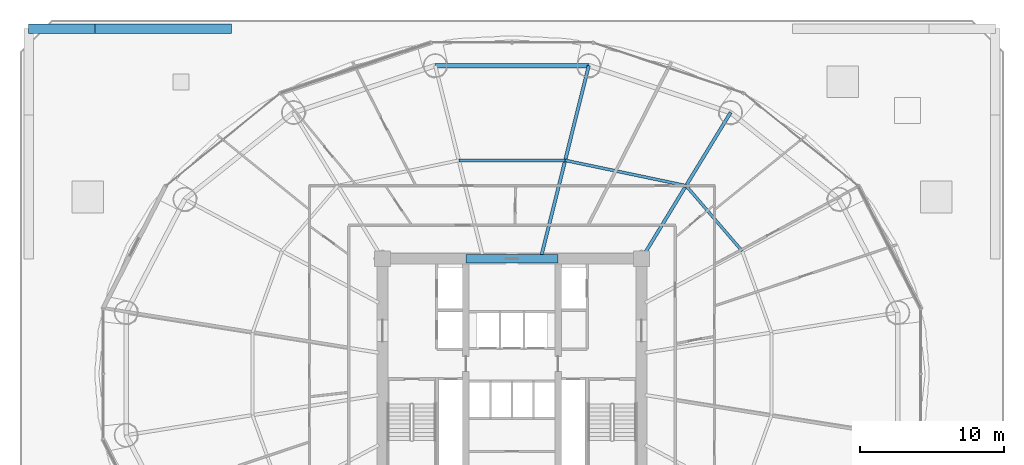
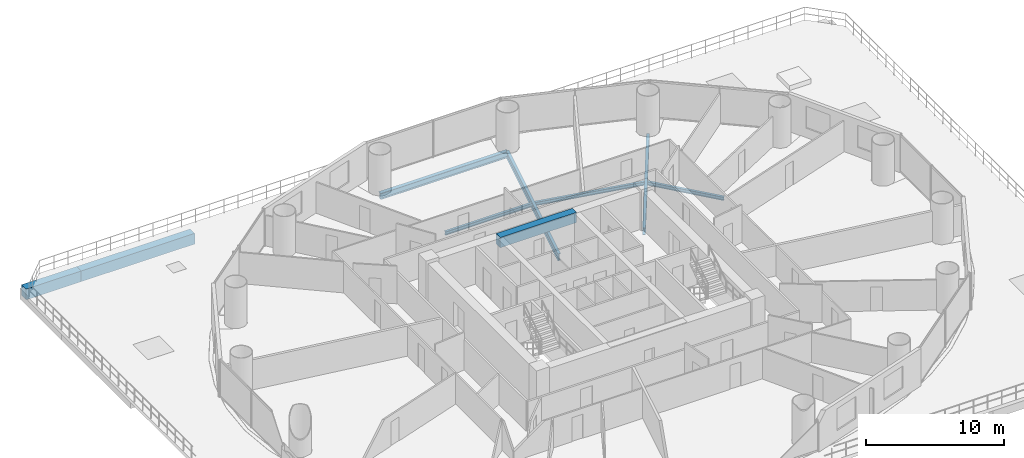
# One storey, part 25 of 37: 9 beams.
"""IFC4 building model written with IfcOpenShell, lengths in metres."""

import ifcopenshell
import ifcopenshell.guid

model = None  # the IFC model being written
_history = None  # IfcOwnerHistory: only IFC2X3 demands one
_inside = {}  # id of a spatial element -> (the spatial element, [elements in it])
_under = {}  # id of a project, library or spatial element -> (it, [spatial elements below it])
_declared = {}  # id of a project -> (the project, [libraries it declares])
_typed = {}  # id of a type object -> (the type object, [elements of that type])
_made_of = {}  # id of a material, layer set ... -> (it, [elements and type objects made of it])


def new_model(schema):
    """Start an empty IFC model of exactly this schema.

    Asked for "IFC4X3", IfcOpenShell would pick the latest addendum, in which some entities
    have other attributes; the version numbers below select the first issue.
    IFC2X3 requires an IfcOwnerHistory on every rooted entity: one is made here for all.
    """
    global model, _history
    if schema == "IFC4X3":
        model = ifcopenshell.file(schema_version=(4, 3, 0, 0))
    else:
        model = ifcopenshell.file(schema=schema)
    _inside.clear()
    _under.clear()
    _declared.clear()
    _typed.clear()
    _made_of.clear()
    _history = None
    if model.schema == "IFC2X3":
        org = make("IfcOrganization", Name="unknown")
        user = make(
            "IfcPersonAndOrganization",
            ThePerson=make("IfcPerson", FamilyName="unknown"),
            TheOrganization=org,
        )
        app = make(
            "IfcApplication",
            ApplicationDeveloper=org,
            Version="unknown",
            ApplicationFullName="unknown",
            ApplicationIdentifier="unknown",
        )
        _history = make(
            "IfcOwnerHistory",
            OwningUser=user,
            OwningApplication=app,
            ChangeAction="ADDED",
            CreationDate=0,
        )
    return model


def make(cls, **values):
    """One entity of the class cls with the attributes given. An attribute that is None is left unset."""
    return model.create_entity(
        cls, **{name: value for name, value in values.items() if value is not None}
    )


def rooted(cls, **values):
    """An entity with a GlobalId (a new one), such as an element, a storey or a relation."""
    return make(cls, GlobalId=ifcopenshell.guid.new(), OwnerHistory=_history, **values)


def si_unit(unit_type, name, prefix=None):
    """IfcSIUnit, for example si_unit("LENGTHUNIT", "METRE", prefix="MILLI")."""
    return make("IfcSIUnit", UnitType=unit_type, Prefix=prefix, Name=name)


def assignment(units):
    """IfcUnitAssignment: the units of a project."""
    return None if units is None else make("IfcUnitAssignment", Units=units)


def point(xyz):
    """IfcCartesianPoint."""
    return None if xyz is None else make("IfcCartesianPoint", Coordinates=xyz)


def direction(xyz):
    """IfcDirection."""
    return None if xyz is None else make("IfcDirection", DirectionRatios=xyz)


def frame(location, z_axis=None, x_axis=None):
    """IfcAxis2Placement3D, a coordinate frame: its origin and axes. An axis left out is left unset."""
    return make(
        "IfcAxis2Placement3D",
        Location=point(location),
        Axis=direction(z_axis),
        RefDirection=direction(x_axis),
    )


def frame_2d(location, x_axis=None):
    """IfcAxis2Placement2D, a coordinate frame in the plane: its origin and x axis."""
    return make(
        "IfcAxis2Placement2D", Location=point(location), RefDirection=direction(x_axis)
    )


def origin():
    """The frame at (0, 0, 0) with its axes left unset."""
    return frame((0.0, 0.0, 0.0))


def origin_2d():
    """The frame at (0, 0) in the plane with its x axis left unset."""
    return frame_2d((0.0, 0.0))


def place(relative_to, where):
    """IfcLocalPlacement: puts the frame where relative to a parent placement (None: the world)."""
    return make(
        "IfcLocalPlacement", PlacementRelTo=relative_to, RelativePlacement=where
    )


def context(
    kind, dimensions, precision=None, world=None, true_north=None, identifier=None
):
    """IfcGeometricRepresentationContext, for example the 3D "Model" context."""
    return make(
        "IfcGeometricRepresentationContext",
        ContextIdentifier=identifier,
        ContextType=kind,
        CoordinateSpaceDimension=dimensions,
        Precision=precision,
        WorldCoordinateSystem=world,
        TrueNorth=true_north,
    )


def subcontext(parent, identifier, kind, view, scale=None):
    """IfcGeometricRepresentationSubContext, for example "Body" below "Model"."""
    return make(
        "IfcGeometricRepresentationSubContext",
        ContextIdentifier=identifier,
        ContextType=kind,
        ParentContext=parent,
        TargetScale=scale,
        TargetView=view,
    )


def project(units=None, contexts=None):
    """IfcProject with its units and contexts."""
    return rooted(
        "IfcProject",
        Name="project",
        RepresentationContexts=contexts,
        UnitsInContext=assignment(units),
    )


def spatial(cls, under=None, at=None, **own):
    """A site, building, storey or space (cls), placed at a placement, below another one or the project."""
    s = rooted(cls, ObjectPlacement=at, **own)
    if under is not None:
        _under.setdefault(under.id(), (under, []))[1].append(s)
    return s


def profile(cls, at=None, kind="AREA", **sizes):
    """A parametric profile (cls). Its sizes go by their IFC names, for example OverallWidth=200.0."""
    return make(cls, ProfileType=kind, Position=at, **sizes)


def rectangle(**sizes):
    """IfcRectangleProfileDef."""
    return profile("IfcRectangleProfileDef", **sizes)


def i_section(**sizes):
    """IfcIShapeProfileDef."""
    return profile("IfcIShapeProfileDef", **sizes)


def extrude(swept, where, along, depth):
    """IfcExtrudedAreaSolid: the profile swept, set in the frame where, extruded along a direction by depth."""
    return make(
        "IfcExtrudedAreaSolid",
        SweptArea=swept,
        Position=where,
        ExtrudedDirection=direction(along),
        Depth=depth,
    )


def shape(context_of_items, identifier, shape_type, items):
    """IfcShapeRepresentation: the items that make up one representation, for example the "Body"."""
    return make(
        "IfcShapeRepresentation",
        ContextOfItems=context_of_items,
        RepresentationIdentifier=identifier,
        RepresentationType=shape_type,
        Items=items,
    )


def material(Name=None, Category=None):
    """IfcMaterial."""
    return make("IfcMaterial", Name=Name, Category=Category)


def material_profile(
    of_material, cross_section, Name=None, Category=None, Priority=None
):
    """IfcMaterialProfile: a cross section and its material."""
    return make(
        "IfcMaterialProfile",
        Name=Name,
        Material=of_material,
        Profile=cross_section,
        Priority=Priority,
        Category=Category,
    )


def profile_set(profiles, Name=None, composite=None):
    """IfcMaterialProfileSet."""
    return make(
        "IfcMaterialProfileSet",
        Name=Name,
        MaterialProfiles=profiles,
        CompositeProfile=composite,
    )


def made_of(thing, what):
    """Note that an element or type object is made of a material, layer set ...; save() writes the relation."""
    if what is not None:
        _made_of.setdefault(what.id(), (what, []))[1].append(thing)
    return thing


def type_object(cls, material=None, **own):
    """A type object (cls), such as IfcWallType, which elements share."""
    return made_of(rooted(cls, **own), material)


def element(
    cls,
    number,
    at=None,
    inside=None,
    cuts=None,
    type_object=None,
    material=None,
    context=None,
    identifier="Body",
    shape_type=None,
    held_by="IfcProductDefinitionShape",
    body=None,
    shapes=None,
    **own,
):
    """One element of the class cls, such as IfcWall. Its Tag is "e" and its number.

    at: its placement. inside: the storey or other place that contains it. cuts: it is an
    opening in that element (IfcRelVoidsElement). A single representation is given by context,
    identifier, shape_type and body (its items); several are given by shapes. held_by: the class
    of the entity that holds the representations. save() writes the other relations.
    """
    e = rooted(cls, Tag="e%d" % number, ObjectPlacement=at, **own)
    if body is not None:
        shapes = [shape(context, identifier, shape_type, body)]
    if shapes is not None:
        e.Representation = make(held_by, Representations=shapes)
    if inside is not None:
        _inside.setdefault(inside.id(), (inside, []))[1].append(e)
    if cuts is not None:
        rooted(
            "IfcRelVoidsElement", RelatingBuildingElement=cuts, RelatedOpeningElement=e
        )
    if type_object is not None:
        _typed.setdefault(type_object.id(), (type_object, []))[1].append(e)
    return made_of(e, material)


def aggregate(whole, parts):
    """IfcRelAggregates: a whole, such as a stair, and the parts it consists of."""
    return rooted("IfcRelAggregates", RelatingObject=whole, RelatedObjects=parts)


def save(model, path):
    """Write the relations noted so far, then the file.

    IfcRelAggregates (storeys below a building ...), IfcRelContainedInSpatialStructure (elements
    in a storey), IfcRelDefinesByType, IfcRelAssociatesMaterial and IfcRelDeclares: one each for
    every whole, place, type object, material and project.
    """
    for whole, parts in _under.values():
        aggregate(whole, parts)
    for where, things in _inside.values():
        rooted(
            "IfcRelContainedInSpatialStructure",
            RelatedElements=things,
            RelatingStructure=where,
        )
    for kind, things in _typed.values():
        rooted("IfcRelDefinesByType", RelatedObjects=things, RelatingType=kind)
    for what, things in _made_of.values():
        rooted("IfcRelAssociatesMaterial", RelatedObjects=things, RelatingMaterial=what)
    for by, libraries in _declared.values():
        rooted("IfcRelDeclares", RelatingContext=by, RelatedDefinitions=libraries)
    model.write(path)


model = new_model("IFC4")

# Units and contexts
model_context = context("Model", 3, precision=1e-05, world=origin(), true_north=direction((-0.2419218956, 0.970295726276)))
body_context = subcontext(model_context, "Body", "Model", "MODEL_VIEW")
ifc_project = project(units=[si_unit("LENGTHUNIT", "METRE"), si_unit("AREAUNIT", "SQUARE_METRE"), si_unit("VOLUMEUNIT", "CUBIC_METRE"), si_unit("PLANEANGLEUNIT", "RADIAN"), si_unit("MASSUNIT", "GRAM", prefix="KILO")], contexts=[model_context])

# Site, building, storey
site_placement = place(None, origin())
site = spatial("IfcSite", under=ifc_project, at=site_placement, CompositionType="ELEMENT")
building_placement = place(site_placement, origin())
building = spatial("IfcBuilding", under=site, at=building_placement, Name="Cobrevalo Terracotta Tower", CompositionType="ELEMENT")
storey_placement = place(building_placement, frame((0.0, 0.0, 24.0)))
storey = spatial("IfcBuildingStorey", under=building, at=storey_placement, Name="L05", CompositionType="ELEMENT", Elevation=24.0)

# Beams
ifc_material_1 = material(Name="Concrete C60", Category="concrete")
ifc_material_profile_1 = material_profile(ifc_material_1, rectangle(XDim=0.60009765625, YDim=0.89990234375, at=origin_2d()), Name="RC CB 600x900")
ifc_profile_set_1 = profile_set([ifc_material_profile_1], Name="Concrete C60")
beam_type_1 = type_object("IfcBeamType", Name="Structural Beam RC CB 600x900 (Concrete C60)", PredefinedType="BEAM", material=ifc_profile_set_1)
beam_1_placement = place(storey_placement, frame((34.800048828125, 34.800048828125, 2.8701171875), z_axis=(1.0, 0.0, 0.0), x_axis=(0.0, 1.0, 0.0)))
element("IfcBeam", 1, at=beam_1_placement, inside=storey, type_object=beam_type_1, Name="L05 core coupling beam 2", PredefinedType="BEAM", context=body_context, shape_type="SweptSolid", body=[
    extrude(rectangle(XDim=0.60009765625, YDim=0.89990234375, at=origin_2d()), origin(), (0.0, 0.0, 1.0), 6.39990234375),
])
ifc_material_2 = material(Name="Steel S355", Category="steel")
ifc_material_profile_2 = material_profile(ifc_material_2, i_section(OverallWidth=0.22998046875, OverallDepth=0.616943359375, WebThickness=0.01318359375, FlangeThickness=0.022216796875, at=origin_2d()), Name="W 610x140")
ifc_profile_set_2 = profile_set([ifc_material_profile_2], Name="Steel S355")
beam_type_2 = type_object("IfcBeamType", Name="Structural Beam W 610x140 (Steel S355)", PredefinedType="BEAM", material=ifc_profile_set_2)
beam_2_placement = place(storey_placement, frame((53.19482421875, 44.967529296875, -0.58837890625), z_axis=(-0.520309892051, -0.853977526773, 0.0), x_axis=(0.853977526773, -0.520309892051, 0.0)))
element("IfcBeam", 2, at=beam_2_placement, inside=storey, type_object=beam_type_2, Name="L05 radial floor girder 03", PredefinedType="BEAM", context=body_context, shape_type="SweptSolid", body=[
    extrude(i_section(OverallWidth=0.22998046875, OverallDepth=0.616943359375, WebThickness=0.01318359375, FlangeThickness=0.022216796875, at=origin_2d()), origin(), (0.0, 0.0, 1.0), 11.906005859375),
])
beam_3_placement = place(storey_placement, frame((43.335693359375, 48.230224609375, -0.58837890625), z_axis=(-0.241596254786, -0.970376859614, 0.0), x_axis=(0.970376859614, -0.241596254786, 0.0)))
element("IfcBeam", 3, at=beam_3_placement, inside=storey, type_object=beam_type_2, Name="L05 radial floor girder 04", PredefinedType="BEAM", context=body_context, shape_type="SweptSolid", body=[
    extrude(i_section(OverallWidth=0.22998046875, OverallDepth=0.616943359375, WebThickness=0.01318359375, FlangeThickness=0.022216796875, at=origin_2d()), origin(), (0.0, 0.0, 1.0), 13.577392578125),
])
ifc_material_profile_3 = material_profile(ifc_material_2, i_section(OverallWidth=0.2041015625, OverallDepth=0.305908203125, WebThickness=0.008544921875, FlangeThickness=0.0146484375, at=origin_2d()), Name="W 310x67")
ifc_profile_set_3 = profile_set([ifc_material_profile_3], Name="Steel S355")
beam_type_3 = type_object("IfcBeamType", Name="Structural Joist W 310x67 (Steel S355)", PredefinedType="JOIST", material=ifc_profile_set_3)
beam_4_placement = place(storey_placement, frame((53.997802734375, 35.33984375, -0.43310546875), z_axis=(-0.651328404454, 0.758795960421, 0.0), x_axis=(-0.758795960421, -0.651328404454, 0.0)))
element("IfcBeam", 4, at=beam_4_placement, inside=storey, type_object=beam_type_3, Name="L05 circumferential secondary floor joist 02", PredefinedType="JOIST", context=body_context, shape_type="SweptSolid", body=[
    extrude(i_section(OverallWidth=0.2041015625, OverallDepth=0.305908203125, WebThickness=0.008544921875, FlangeThickness=0.0146484375, at=origin_2d()), origin(), (0.0, 0.0, 1.0), 5.98828125),
])
beam_5_placement = place(storey_placement, frame((50.097412109375, 39.8837890625, -0.43310546875), z_axis=(-0.978784523904, 0.204892302848, 0.0), x_axis=(-0.204892302848, -0.978784523904, 0.0)))
element("IfcBeam", 5, at=beam_5_placement, inside=storey, type_object=beam_type_3, Name="L05 circumferential secondary floor joist 03", PredefinedType="JOIST", context=body_context, shape_type="SweptSolid", body=[
    extrude(i_section(OverallWidth=0.2041015625, OverallDepth=0.305908203125, WebThickness=0.008544921875, FlangeThickness=0.0146484375, at=origin_2d()), origin(), (0.0, 0.0, 1.0), 8.583984375),
])
beam_6_placement = place(storey_placement, frame((41.695556640625, 41.642578125, -0.43310546875), z_axis=(-1.0, 0.0, 0.0), x_axis=(0.0, -1.0, 0.0)))
element("IfcBeam", 6, at=beam_6_placement, inside=storey, type_object=beam_type_3, Name="L05 circumferential secondary floor joist 04", PredefinedType="JOIST", context=body_context, shape_type="SweptSolid", body=[
    extrude(i_section(OverallWidth=0.2041015625, OverallDepth=0.305908203125, WebThickness=0.008544921875, FlangeThickness=0.0146484375, at=origin_2d()), origin(), (0.0, 0.0, 1.0), 7.39111328125),
])
ifc_material_3 = material(Name="Concrete C50", Category="concrete")
ifc_material_profile_4 = material_profile(ifc_material_3, rectangle(XDim=0.64990234375, YDim=0.949951171875, at=origin_2d()), Name="RC BM 650x950")
ifc_profile_set_4 = profile_set([ifc_material_profile_4], Name="Concrete C50")
beam_type_4 = type_object("IfcBeamType", Name="Structural Spandrel RC BM 650x950 (Concrete C50)", PredefinedType="SPANDREL", material=ifc_profile_set_4)
beam_7_placement = place(storey_placement, frame((4.39990234375, 50.800048828125, -0.7548828125), z_axis=(1.0, 0.0, 0.0), x_axis=(0.0, 1.0, 0.0)))
element("IfcBeam", 7, at=beam_7_placement, inside=storey, type_object=beam_type_4, Name="L05 podium grid beam G1-GG to G2-GG", PredefinedType="SPANDREL", context=body_context, shape_type="SweptSolid", body=[
    extrude(rectangle(XDim=0.64990234375, YDim=0.949951171875, at=origin_2d()), origin(), (0.0, 0.0, 1.0), 4.60009765625),
])
beam_8_placement = place(storey_placement, frame((9.0, 50.800048828125, -0.7548828125), z_axis=(1.0, 0.0, 0.0), x_axis=(0.0, 1.0, 0.0)))
element("IfcBeam", 8, at=beam_8_placement, inside=storey, type_object=beam_type_4, Name="L05 podium grid beam G2-GG to G3-GG", PredefinedType="SPANDREL", context=body_context, shape_type="SweptSolid", body=[
    extrude(rectangle(XDim=0.64990234375, YDim=0.949951171875, at=origin_2d()), origin(), (0.0, 0.0, 1.0), 9.5),
])
ifc_material_profile_5 = material_profile(ifc_material_2, i_section(OverallWidth=0.31201171875, OverallDepth=0.54296875, WebThickness=0.0126953125, FlangeThickness=0.020263671875, at=origin_2d()), Name="W 530x150")
ifc_profile_set_5 = profile_set([ifc_material_profile_5], Name="Steel S355")
beam_type_5 = type_object("IfcBeamType", Name="Structural Spandrel W 530x150 (Steel S355)", PredefinedType="SPANDREL", material=ifc_profile_set_5)
beam_9_placement = place(storey_placement, frame((43.335693359375, 48.230224609375, -0.551513671875), z_axis=(-1.0, 0.0, 0.0), x_axis=(0.0, -1.0, 0.0)))
element("IfcBeam", 9, at=beam_9_placement, inside=storey, type_object=beam_type_5, Name="L05 perimeter ring spandrel 04", PredefinedType="SPANDREL", context=body_context, shape_type="SweptSolid", body=[
    extrude(i_section(OverallWidth=0.31201171875, OverallDepth=0.54296875, WebThickness=0.0126953125, FlangeThickness=0.020263671875, at=origin_2d()), origin(), (0.0, 0.0, 1.0), 10.67138671875),
])

save(model, "model.ifc")
